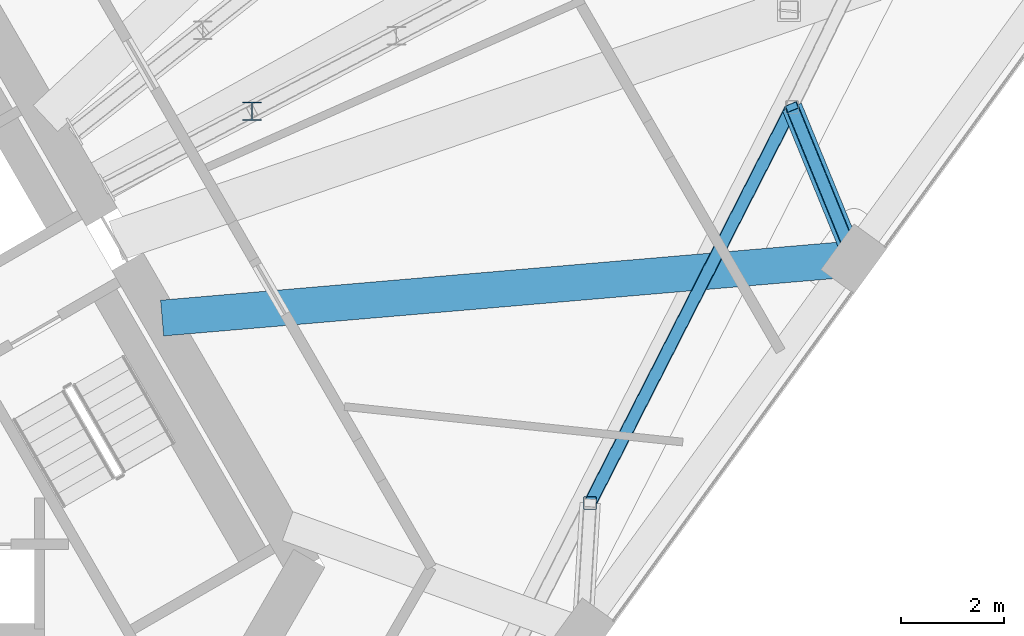
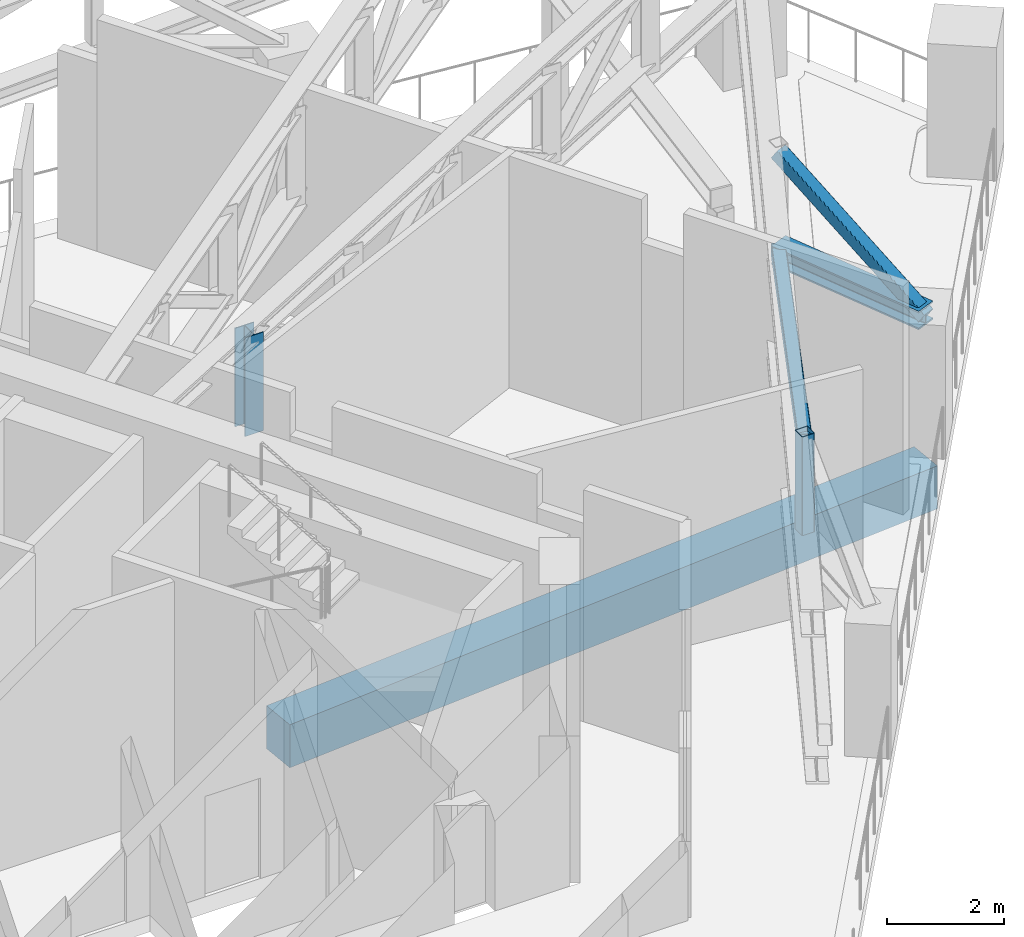
# One storey, part 7 of 20: 5 members, 1 beam.
"""IFC4 building model written with IfcOpenShell, lengths in metres."""

from ifc_helpers import new_model, si_unit, direction, frame, origin, origin_2d, place, context, subcontext, project, spatial, rectangle, hollow_rectangle, i_section, extrude, material, material_profile, profile_set, type_object, element, save


model = new_model("IFC4")

# Units and contexts
model_context = context("Model", 3, precision=1e-05, world=origin(), true_north=direction((0.0, 1.0)))
body_context = subcontext(model_context, "Body", "Model", "MODEL_VIEW")
ifc_project = project(units=[si_unit("LENGTHUNIT", "METRE"), si_unit("AREAUNIT", "SQUARE_METRE"), si_unit("VOLUMEUNIT", "CUBIC_METRE"), si_unit("PLANEANGLEUNIT", "RADIAN"), si_unit("MASSUNIT", "GRAM", prefix="KILO")], contexts=[model_context])

# Site, building, storey
site_placement = place(None, origin())
site = spatial("IfcSite", under=ifc_project, at=site_placement, CompositionType="ELEMENT")
building_placement = place(site_placement, origin())
building = spatial("IfcBuilding", under=site, at=building_placement, Name="Tramontana Tower", CompositionType="ELEMENT")
storey_placement = place(building_placement, frame((0.0, 0.0, 269.199951171875)))
storey = spatial("IfcBuildingStorey", under=building, at=storey_placement, Name="L63", CompositionType="ELEMENT", Elevation=269.199951171875)

# Members
ifc_material_1 = material(Name="Steel ASTM A500 Grade C", Category="steel")
ifc_material_profile_1 = material_profile(ifc_material_1, hollow_rectangle(XDim=0.25390625, YDim=0.25390625, WallThickness=0.01171875, InnerFilletRadius=0.01171875, OuterFilletRadius=0.023681640625, at=origin_2d()), Name="HSS10X10X1/2")
ifc_profile_set_1 = profile_set([ifc_material_profile_1], Name="Steel ASTM A500 Grade C")
member_type_1 = type_object("IfcMemberType", Name="Belt truss HSS10X10X1/2 brace", PredefinedType="BRACE", material=ifc_profile_set_1)
member_1_placement = place(storey_placement, frame((15.419921875, -2.9970703125, 4.65625), z_axis=(0.441659249301, 0.86675456277, -0.231675711772), x_axis=(-0.89099582023, 0.454011506828, 0.0)))
element("IfcMember", 1, at=member_1_placement, inside=storey, type_object=member_type_1, Name="Belt truss diagonal S1.4", PredefinedType="BRACE", context=body_context, shape_type="SweptSolid", body=[
    extrude(hollow_rectangle(XDim=0.25390625, YDim=0.25390625, WallThickness=0.01171875, InnerFilletRadius=0.01171875, OuterFilletRadius=0.023681640625, at=origin_2d()), origin(), (0.0, 0.0, 1.0), 8.902587890625),
])
ifc_material_2 = material(Name="Steel ASTM A500 Grade C", Category="steel")
ifc_material_profile_2 = material_profile(ifc_material_2, hollow_rectangle(XDim=0.25390625, YDim=0.25390625, WallThickness=0.01171875, InnerFilletRadius=0.01171875, OuterFilletRadius=0.023681640625, at=origin_2d()), Name="HSS10X10X1/2")
ifc_profile_set_2 = profile_set([ifc_material_profile_2], Name="Steel ASTM A500 Grade C")
member_type_2 = type_object("IfcMemberType", Name="Belt truss HSS10X10X1/2 post", PredefinedType="POST", material=ifc_profile_set_2)
member_2_placement = place(storey_placement, frame((15.419921875, -2.9970703125, 2.787353515625), z_axis=(0.0, 0.0, 1.0), x_axis=(1.0, 0.0, 0.0)))
element("IfcMember", 2, at=member_2_placement, inside=storey, type_object=member_type_2, Name="Belt truss post C7F07", PredefinedType="POST", context=body_context, shape_type="SweptSolid", body=[
    extrude(hollow_rectangle(XDim=0.25390625, YDim=0.25390625, WallThickness=0.01171875, InnerFilletRadius=0.01171875, OuterFilletRadius=0.023681640625, at=origin_2d()), origin(), (0.0, 0.0, 1.0), 2.062744140625),
])

# Beam
ifc_material_3 = material(Name="Concrete 40 MPa", Category="concrete")
ifc_material_profile_3 = material_profile(ifc_material_3, rectangle(XDim=0.699951171875, YDim=0.89990234375, at=origin_2d()), Name="RC GIRDER 700X900 40 MPa")
ifc_profile_set_3 = profile_set([ifc_material_profile_3], Name="Concrete 40 MPa")
beam_type = type_object("IfcBeamType", Name="RC GIRDER 700X900 40 MPa", PredefinedType="BEAM", material=ifc_profile_set_3)
beam_placement = place(storey_placement, frame((20.5615234375, 1.760498046875, -0.800048828125), z_axis=(-0.996353926175, -0.085316198904, 0.0), x_axis=(0.085316198904, -0.996353926175, 0.0)))
element("IfcBeam", 3, at=beam_placement, inside=storey, type_object=beam_type, Name="Radial girder C6F08 L63", PredefinedType="BEAM", context=body_context, shape_type="SweptSolid", body=[
    extrude(rectangle(XDim=0.699951171875, YDim=0.89990234375, at=origin_2d()), origin(), (0.0, 0.0, 1.0), 13.532470703125),
])

# Members
ifc_material_4 = material(Name="Steel ASTM A500 Grade C", Category="steel")
ifc_material_profile_4 = material_profile(ifc_material_4, hollow_rectangle(XDim=0.25390625, YDim=0.25390625, WallThickness=0.01171875, InnerFilletRadius=0.01171875, OuterFilletRadius=0.023681640625, at=origin_2d()), Name="HSS10X10X1/2")
ifc_profile_set_4 = profile_set([ifc_material_profile_4], Name="Steel ASTM A500 Grade C")
member_type_3 = type_object("IfcMemberType", Name="Transfer truss HSS10X10X1/2 brace", PredefinedType="BRACE", material=ifc_profile_set_4)
member_3_placement = place(storey_placement, frame((20.5615234375, 1.760498046875, 2.59375), z_axis=(-0.318000252823, 0.77776893319, 0.542172782209), x_axis=(-0.925621153203, -0.37845142455, 0.0)))
element("IfcMember", 4, at=member_3_placement, inside=storey, type_object=member_type_3, Name="Transfer truss strut C7F08 diagonal", PredefinedType="BRACE", context=body_context, shape_type="SweptSolid", body=[
    extrude(hollow_rectangle(XDim=0.25390625, YDim=0.25390625, WallThickness=0.01171875, InnerFilletRadius=0.01171875, OuterFilletRadius=0.023681640625, at=origin_2d()), origin(), (0.0, 0.0, 1.0), 3.80419921875),
])
ifc_material_5 = material(Name="Steel ASTM A992 Grade 50", Category="steel")
ifc_material_profile_5 = material_profile(ifc_material_5, i_section(OverallWidth=0.39697265625, OverallDepth=0.387451171875, WebThickness=0.020751953125, FlangeThickness=0.033447265625, FilletRadius=0.01513671875, at=origin_2d()), Name="W14X176")
ifc_profile_set_5 = profile_set([ifc_material_profile_5], Name="Steel ASTM A992 Grade 50")
member_type_4 = type_object("IfcMemberType", Name="Transfer truss W14X176 strut", PredefinedType="STRUT", material=ifc_profile_set_5)
member_4_placement = place(storey_placement, frame((20.5615234375, 1.760498046875, 2.59375), z_axis=(-0.37845142455, 0.925621153203, 0.0), x_axis=(-0.925621153203, -0.37845142455, 0.0)))
element("IfcMember", 5, at=member_4_placement, inside=storey, type_object=member_type_4, Name="Transfer truss strut C7F08 bottom", PredefinedType="STRUT", context=body_context, shape_type="SweptSolid", body=[
    extrude(i_section(OverallWidth=0.39697265625, OverallDepth=0.387451171875, WebThickness=0.020751953125, FlangeThickness=0.033447265625, FilletRadius=0.01513671875, at=origin_2d()), origin(), (0.0, 0.0, 1.0), 3.196533203125),
])
ifc_material_6 = material(Name="Steel ASTM A992 Grade 50", Category="steel")
ifc_material_profile_6 = material_profile(ifc_material_6, i_section(OverallWidth=0.368408203125, OverallDepth=0.355712890625, WebThickness=0.01123046875, FlangeThickness=0.017578125, FilletRadius=0.01513671875, at=origin_2d()), Name="W14X90")
ifc_profile_set_6 = profile_set([ifc_material_profile_6], Name="Steel ASTM A992 Grade 50")
member_type_5 = type_object("IfcMemberType", Name="Transfer truss W14X90 post", PredefinedType="POST", material=ifc_profile_set_6)
member_5_placement = place(storey_placement, frame((8.830810546875, 4.63427734375, 2.59375), z_axis=(0.0, 0.0, 1.0), x_axis=(1.0, 0.0, 0.0)))
element("IfcMember", 6, at=member_5_placement, inside=storey, type_object=member_type_5, Name="Transfer truss post 3.1", PredefinedType="POST", context=body_context, shape_type="SweptSolid", body=[
    extrude(i_section(OverallWidth=0.368408203125, OverallDepth=0.355712890625, WebThickness=0.01123046875, FlangeThickness=0.017578125, FilletRadius=0.01513671875, at=origin_2d()), origin(), (0.0, 0.0, 1.0), 2.0625),
])

save(model, "model.ifc")
